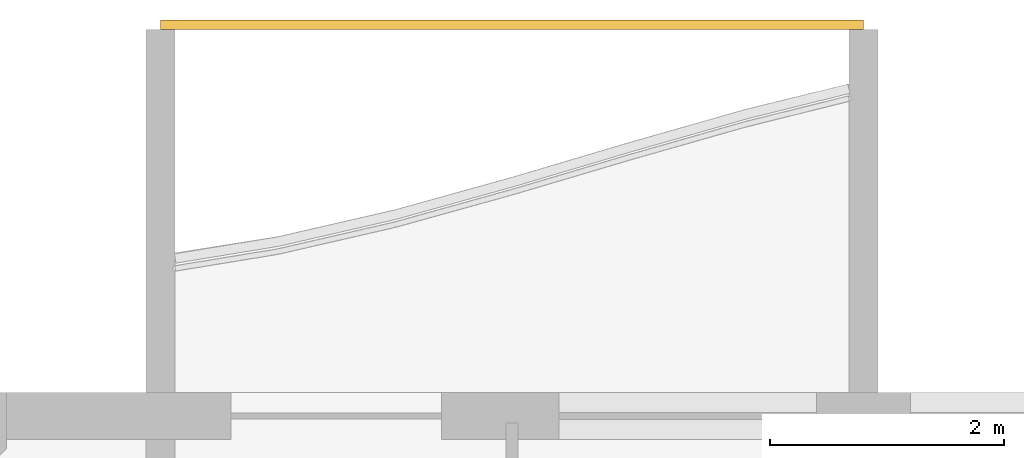
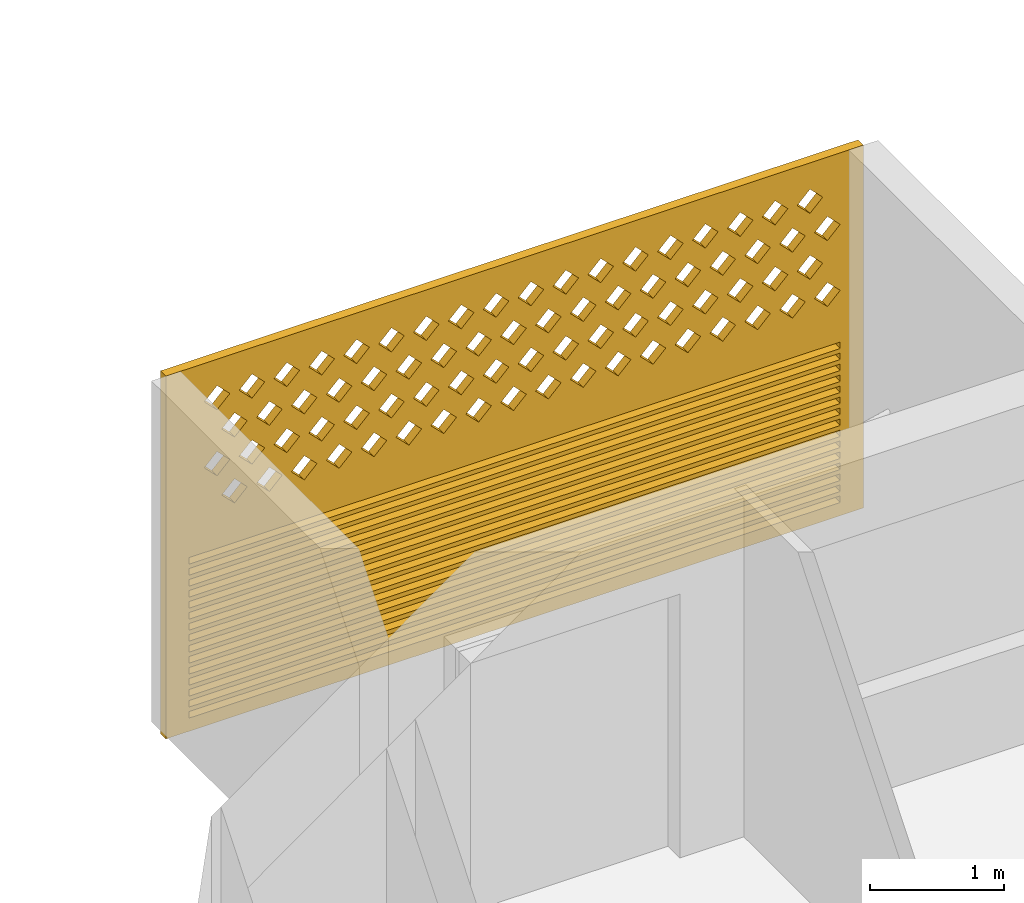
# One storey, part 17 of 29: 1 covering.
"""IFC4 building model written with IfcOpenShell, lengths in metres."""

import ifcopenshell
import ifcopenshell.guid

model = None  # the IFC model being written
_history = None  # IfcOwnerHistory: only IFC2X3 demands one
_inside = {}  # id of a spatial element -> (the spatial element, [elements in it])
_under = {}  # id of a project, library or spatial element -> (it, [spatial elements below it])
_declared = {}  # id of a project -> (the project, [libraries it declares])
_typed = {}  # id of a type object -> (the type object, [elements of that type])
_made_of = {}  # id of a material, layer set ... -> (it, [elements and type objects made of it])


def new_model(schema):
    """Start an empty IFC model of exactly this schema.

    Asked for "IFC4X3", IfcOpenShell would pick the latest addendum, in which some entities
    have other attributes; the version numbers below select the first issue.
    IFC2X3 requires an IfcOwnerHistory on every rooted entity: one is made here for all.
    """
    global model, _history
    if schema == "IFC4X3":
        model = ifcopenshell.file(schema_version=(4, 3, 0, 0))
    else:
        model = ifcopenshell.file(schema=schema)
    _inside.clear()
    _under.clear()
    _declared.clear()
    _typed.clear()
    _made_of.clear()
    _history = None
    if model.schema == "IFC2X3":
        org = make("IfcOrganization", Name="unknown")
        user = make(
            "IfcPersonAndOrganization",
            ThePerson=make("IfcPerson", FamilyName="unknown"),
            TheOrganization=org,
        )
        app = make(
            "IfcApplication",
            ApplicationDeveloper=org,
            Version="unknown",
            ApplicationFullName="unknown",
            ApplicationIdentifier="unknown",
        )
        _history = make(
            "IfcOwnerHistory",
            OwningUser=user,
            OwningApplication=app,
            ChangeAction="ADDED",
            CreationDate=0,
        )
    return model


def make(cls, **values):
    """One entity of the class cls with the attributes given. An attribute that is None is left unset."""
    return model.create_entity(
        cls, **{name: value for name, value in values.items() if value is not None}
    )


def rooted(cls, **values):
    """An entity with a GlobalId (a new one), such as an element, a storey or a relation."""
    return make(cls, GlobalId=ifcopenshell.guid.new(), OwnerHistory=_history, **values)


def si_unit(unit_type, name, prefix=None):
    """IfcSIUnit, for example si_unit("LENGTHUNIT", "METRE", prefix="MILLI")."""
    return make("IfcSIUnit", UnitType=unit_type, Prefix=prefix, Name=name)


def assignment(units):
    """IfcUnitAssignment: the units of a project."""
    return None if units is None else make("IfcUnitAssignment", Units=units)


def point(xyz):
    """IfcCartesianPoint."""
    return None if xyz is None else make("IfcCartesianPoint", Coordinates=xyz)


def direction(xyz):
    """IfcDirection."""
    return None if xyz is None else make("IfcDirection", DirectionRatios=xyz)


def frame(location, z_axis=None, x_axis=None):
    """IfcAxis2Placement3D, a coordinate frame: its origin and axes. An axis left out is left unset."""
    return make(
        "IfcAxis2Placement3D",
        Location=point(location),
        Axis=direction(z_axis),
        RefDirection=direction(x_axis),
    )


def origin():
    """The frame at (0, 0, 0) with its axes left unset."""
    return frame((0.0, 0.0, 0.0))


def place(relative_to, where):
    """IfcLocalPlacement: puts the frame where relative to a parent placement (None: the world)."""
    return make(
        "IfcLocalPlacement", PlacementRelTo=relative_to, RelativePlacement=where
    )


def context(
    kind, dimensions, precision=None, world=None, true_north=None, identifier=None
):
    """IfcGeometricRepresentationContext, for example the 3D "Model" context."""
    return make(
        "IfcGeometricRepresentationContext",
        ContextIdentifier=identifier,
        ContextType=kind,
        CoordinateSpaceDimension=dimensions,
        Precision=precision,
        WorldCoordinateSystem=world,
        TrueNorth=true_north,
    )


def subcontext(parent, identifier, kind, view, scale=None):
    """IfcGeometricRepresentationSubContext, for example "Body" below "Model"."""
    return make(
        "IfcGeometricRepresentationSubContext",
        ContextIdentifier=identifier,
        ContextType=kind,
        ParentContext=parent,
        TargetScale=scale,
        TargetView=view,
    )


def project(units=None, contexts=None):
    """IfcProject with its units and contexts."""
    return rooted(
        "IfcProject",
        Name="project",
        RepresentationContexts=contexts,
        UnitsInContext=assignment(units),
    )


def spatial(cls, under=None, at=None, **own):
    """A site, building, storey or space (cls), placed at a placement, below another one or the project."""
    s = rooted(cls, ObjectPlacement=at, **own)
    if under is not None:
        _under.setdefault(under.id(), (under, []))[1].append(s)
    return s


def polyline(points):
    """IfcPolyline through the points."""
    return make("IfcPolyline", Points=[point(p) for p in points])


def outline(outer, holes=None, kind="AREA"):
    """IfcArbitraryClosedProfileDef: a profile drawn as a closed curve; with holes, ...WithVoids."""
    if holes is None:
        return make("IfcArbitraryClosedProfileDef", ProfileType=kind, OuterCurve=outer)
    return make(
        "IfcArbitraryProfileDefWithVoids",
        ProfileType=kind,
        OuterCurve=outer,
        InnerCurves=holes,
    )


def extrude(swept, where, along, depth):
    """IfcExtrudedAreaSolid: the profile swept, set in the frame where, extruded along a direction by depth."""
    return make(
        "IfcExtrudedAreaSolid",
        SweptArea=swept,
        Position=where,
        ExtrudedDirection=direction(along),
        Depth=depth,
    )


def shape(context_of_items, identifier, shape_type, items):
    """IfcShapeRepresentation: the items that make up one representation, for example the "Body"."""
    return make(
        "IfcShapeRepresentation",
        ContextOfItems=context_of_items,
        RepresentationIdentifier=identifier,
        RepresentationType=shape_type,
        Items=items,
    )


def source(mapping_origin, context_of_items, identifier, shape_type, items):
    """IfcRepresentationMap: a shape defined once, which mapped items show again and again."""
    return make(
        "IfcRepresentationMap",
        MappingOrigin=mapping_origin,
        MappedRepresentation=shape(context_of_items, identifier, shape_type, items),
    )


def transform(
    local_origin,
    x_axis=None,
    y_axis=None,
    z_axis=None,
    scale=None,
    scale2=None,
    scale3=None,
    uniform=True,
):
    """IfcCartesianTransformationOperator3D, or its non-uniform kind. x_axis, y_axis, z_axis: its Axis1, 2, 3."""
    if uniform:
        return make(
            "IfcCartesianTransformationOperator3D",
            Axis1=direction(x_axis),
            Axis2=direction(y_axis),
            LocalOrigin=point(local_origin),
            Scale=scale,
            Axis3=direction(z_axis),
        )
    return make(
        "IfcCartesianTransformationOperator3DnonUniform",
        Axis1=direction(x_axis),
        Axis2=direction(y_axis),
        LocalOrigin=point(local_origin),
        Scale=scale,
        Axis3=direction(z_axis),
        Scale2=scale2,
        Scale3=scale3,
    )


def mapped(mapping_source, mapping_target):
    """IfcMappedItem: shows the shape of a source again, moved by a transform."""
    return make(
        "IfcMappedItem", MappingSource=mapping_source, MappingTarget=mapping_target
    )


def material(Name=None, Category=None):
    """IfcMaterial."""
    return make("IfcMaterial", Name=Name, Category=Category)


def material_profile(
    of_material, cross_section, Name=None, Category=None, Priority=None
):
    """IfcMaterialProfile: a cross section and its material."""
    return make(
        "IfcMaterialProfile",
        Name=Name,
        Material=of_material,
        Profile=cross_section,
        Priority=Priority,
        Category=Category,
    )


def profile_set(profiles, Name=None, composite=None):
    """IfcMaterialProfileSet."""
    return make(
        "IfcMaterialProfileSet",
        Name=Name,
        MaterialProfiles=profiles,
        CompositeProfile=composite,
    )


def made_of(thing, what):
    """Note that an element or type object is made of a material, layer set ...; save() writes the relation."""
    if what is not None:
        _made_of.setdefault(what.id(), (what, []))[1].append(thing)
    return thing


def type_object(cls, material=None, **own):
    """A type object (cls), such as IfcWallType, which elements share."""
    return made_of(rooted(cls, **own), material)


def element(
    cls,
    number,
    at=None,
    inside=None,
    cuts=None,
    type_object=None,
    material=None,
    context=None,
    identifier="Body",
    shape_type=None,
    held_by="IfcProductDefinitionShape",
    body=None,
    shapes=None,
    **own,
):
    """One element of the class cls, such as IfcWall. Its Tag is "e" and its number.

    at: its placement. inside: the storey or other place that contains it. cuts: it is an
    opening in that element (IfcRelVoidsElement). A single representation is given by context,
    identifier, shape_type and body (its items); several are given by shapes. held_by: the class
    of the entity that holds the representations. save() writes the other relations.
    """
    e = rooted(cls, Tag="e%d" % number, ObjectPlacement=at, **own)
    if body is not None:
        shapes = [shape(context, identifier, shape_type, body)]
    if shapes is not None:
        e.Representation = make(held_by, Representations=shapes)
    if inside is not None:
        _inside.setdefault(inside.id(), (inside, []))[1].append(e)
    if cuts is not None:
        rooted(
            "IfcRelVoidsElement", RelatingBuildingElement=cuts, RelatedOpeningElement=e
        )
    if type_object is not None:
        _typed.setdefault(type_object.id(), (type_object, []))[1].append(e)
    return made_of(e, material)


def aggregate(whole, parts):
    """IfcRelAggregates: a whole, such as a stair, and the parts it consists of."""
    return rooted("IfcRelAggregates", RelatingObject=whole, RelatedObjects=parts)


def save(model, path):
    """Write the relations noted so far, then the file.

    IfcRelAggregates (storeys below a building ...), IfcRelContainedInSpatialStructure (elements
    in a storey), IfcRelDefinesByType, IfcRelAssociatesMaterial and IfcRelDeclares: one each for
    every whole, place, type object, material and project.
    """
    for whole, parts in _under.values():
        aggregate(whole, parts)
    for where, things in _inside.values():
        rooted(
            "IfcRelContainedInSpatialStructure",
            RelatedElements=things,
            RelatingStructure=where,
        )
    for kind, things in _typed.values():
        rooted("IfcRelDefinesByType", RelatedObjects=things, RelatingType=kind)
    for what, things in _made_of.values():
        rooted("IfcRelAssociatesMaterial", RelatedObjects=things, RelatingMaterial=what)
    for by, libraries in _declared.values():
        rooted("IfcRelDeclares", RelatingContext=by, RelatedDefinitions=libraries)
    model.write(path)


model = new_model("IFC4")

# Units and contexts
model_context = context("Model", 3, precision=1e-05, world=origin(), true_north=direction((0.0, 1.0)))
body_context = subcontext(model_context, "Body", "Model", "MODEL_VIEW")
ifc_project = project(units=[si_unit("LENGTHUNIT", "METRE"), si_unit("AREAUNIT", "SQUARE_METRE"), si_unit("VOLUMEUNIT", "CUBIC_METRE"), si_unit("PLANEANGLEUNIT", "RADIAN"), si_unit("MASSUNIT", "GRAM", prefix="KILO")], contexts=[model_context])

# Site, building, storey
site_placement = place(None, origin())
site = spatial("IfcSite", under=ifc_project, at=site_placement, CompositionType="ELEMENT")
building_placement = place(site_placement, origin())
building = spatial("IfcBuilding", under=site, at=building_placement, Name="Poui Terraces", CompositionType="ELEMENT")
storey_placement = place(building_placement, frame((0.0, 0.0, 231.300048828125)))
storey = spatial("IfcBuildingStorey", under=building, at=storey_placement, Name="L64", CompositionType="ELEMENT", Elevation=231.300048828125)

# Covering
ifc_material = material(Name="Terracotta screen", Category="masonry")
ifc_material_profile = material_profile(ifc_material, outline(polyline([(-3.0, -1.64990234375), (3.0, -1.64990234375), (3.0, 1.64990234375), (-3.0, 1.64990234375), (-3.0, -1.64990234375)]), holes=[polyline([(-2.800048828125, 0.39990234375), (-2.68994140625, 0.2900390625), (-2.580078125, 0.39990234375), (-2.68994140625, 0.510009765625), (-2.800048828125, 0.39990234375)]), polyline([(-2.5, 0.39990234375), (-2.389892578125, 0.2900390625), (-2.280029296875, 0.39990234375), (-2.389892578125, 0.510009765625), (-2.5, 0.39990234375)]), polyline([(-2.199951171875, 0.39990234375), (-2.090087890625, 0.2900390625), (-1.97998046875, 0.39990234375), (-2.090087890625, 0.510009765625), (-2.199951171875, 0.39990234375)]), polyline([(-1.89990234375, 0.39990234375), (-1.7900390625, 0.2900390625), (-1.679931640625, 0.39990234375), (-1.7900390625, 0.510009765625), (-1.89990234375, 0.39990234375)]), polyline([(-1.60009765625, 0.39990234375), (-1.489990234375, 0.2900390625), (-1.3798828125, 0.39990234375), (-1.489990234375, 0.510009765625), (-1.60009765625, 0.39990234375)]), polyline([(-1.300048828125, 0.39990234375), (-1.18994140625, 0.2900390625), (-1.080078125, 0.39990234375), (-1.18994140625, 0.510009765625), (-1.300048828125, 0.39990234375)]), polyline([(-1.0, 0.39990234375), (-0.889892578125, 0.2900390625), (-0.780029296875, 0.39990234375), (-0.889892578125, 0.510009765625), (-1.0, 0.39990234375)]), polyline([(-0.699951171875, 0.39990234375), (-0.590087890625, 0.2900390625), (-0.47998046875, 0.39990234375), (-0.590087890625, 0.510009765625), (-0.699951171875, 0.39990234375)]), polyline([(-0.39990234375, 0.39990234375), (-0.2900390625, 0.2900390625), (-0.179931640625, 0.39990234375), (-0.2900390625, 0.510009765625), (-0.39990234375, 0.39990234375)]), polyline([(-0.10009765625, 0.39990234375), (0.010009765625, 0.2900390625), (0.1201171875, 0.39990234375), (0.010009765625, 0.510009765625), (-0.10009765625, 0.39990234375)]), polyline([(0.199951171875, 0.39990234375), (0.31005859375, 0.2900390625), (0.419921875, 0.39990234375), (0.31005859375, 0.510009765625), (0.199951171875, 0.39990234375)]), polyline([(0.5, 0.39990234375), (0.610107421875, 0.2900390625), (0.719970703125, 0.39990234375), (0.610107421875, 0.510009765625), (0.5, 0.39990234375)]), polyline([(0.800048828125, 0.39990234375), (0.909912109375, 0.2900390625), (1.02001953125, 0.39990234375), (0.909912109375, 0.510009765625), (0.800048828125, 0.39990234375)]), polyline([(1.10009765625, 0.39990234375), (1.2099609375, 0.2900390625), (1.320068359375, 0.39990234375), (1.2099609375, 0.510009765625), (1.10009765625, 0.39990234375)]), polyline([(1.39990234375, 0.39990234375), (1.510009765625, 0.2900390625), (1.6201171875, 0.39990234375), (1.510009765625, 0.510009765625), (1.39990234375, 0.39990234375)]), polyline([(1.699951171875, 0.39990234375), (1.81005859375, 0.2900390625), (1.919921875, 0.39990234375), (1.81005859375, 0.510009765625), (1.699951171875, 0.39990234375)]), polyline([(2.0, 0.39990234375), (2.110107421875, 0.2900390625), (2.219970703125, 0.39990234375), (2.110107421875, 0.510009765625), (2.0, 0.39990234375)]), polyline([(2.300048828125, 0.39990234375), (2.409912109375, 0.2900390625), (2.52001953125, 0.39990234375), (2.409912109375, 0.510009765625), (2.300048828125, 0.39990234375)]), polyline([(-2.64990234375, 0.699951171875), (-2.5400390625, 0.590087890625), (-2.429931640625, 0.699951171875), (-2.5400390625, 0.81005859375), (-2.64990234375, 0.699951171875)]), polyline([(-2.35009765625, 0.699951171875), (-2.239990234375, 0.590087890625), (-2.1298828125, 0.699951171875), (-2.239990234375, 0.81005859375), (-2.35009765625, 0.699951171875)]), polyline([(-2.050048828125, 0.699951171875), (-1.93994140625, 0.590087890625), (-1.830078125, 0.699951171875), (-1.93994140625, 0.81005859375), (-2.050048828125, 0.699951171875)]), polyline([(-1.75, 0.699951171875), (-1.639892578125, 0.590087890625), (-1.530029296875, 0.699951171875), (-1.639892578125, 0.81005859375), (-1.75, 0.699951171875)]), polyline([(-1.449951171875, 0.699951171875), (-1.340087890625, 0.590087890625), (-1.22998046875, 0.699951171875), (-1.340087890625, 0.81005859375), (-1.449951171875, 0.699951171875)]), polyline([(-1.14990234375, 0.699951171875), (-1.0400390625, 0.590087890625), (-0.929931640625, 0.699951171875), (-1.0400390625, 0.81005859375), (-1.14990234375, 0.699951171875)]), polyline([(-0.85009765625, 0.699951171875), (-0.739990234375, 0.590087890625), (-0.6298828125, 0.699951171875), (-0.739990234375, 0.81005859375), (-0.85009765625, 0.699951171875)]), polyline([(-0.550048828125, 0.699951171875), (-0.43994140625, 0.590087890625), (-0.330078125, 0.699951171875), (-0.43994140625, 0.81005859375), (-0.550048828125, 0.699951171875)]), polyline([(-0.25, 0.699951171875), (-0.139892578125, 0.590087890625), (-0.030029296875, 0.699951171875), (-0.139892578125, 0.81005859375), (-0.25, 0.699951171875)]), polyline([(0.050048828125, 0.699951171875), (0.159912109375, 0.590087890625), (0.27001953125, 0.699951171875), (0.159912109375, 0.81005859375), (0.050048828125, 0.699951171875)]), polyline([(0.35009765625, 0.699951171875), (0.4599609375, 0.590087890625), (0.570068359375, 0.699951171875), (0.4599609375, 0.81005859375), (0.35009765625, 0.699951171875)]), polyline([(0.64990234375, 0.699951171875), (0.760009765625, 0.590087890625), (0.8701171875, 0.699951171875), (0.760009765625, 0.81005859375), (0.64990234375, 0.699951171875)]), polyline([(0.949951171875, 0.699951171875), (1.06005859375, 0.590087890625), (1.169921875, 0.699951171875), (1.06005859375, 0.81005859375), (0.949951171875, 0.699951171875)]), polyline([(1.25, 0.699951171875), (1.360107421875, 0.590087890625), (1.469970703125, 0.699951171875), (1.360107421875, 0.81005859375), (1.25, 0.699951171875)]), polyline([(1.550048828125, 0.699951171875), (1.659912109375, 0.590087890625), (1.77001953125, 0.699951171875), (1.659912109375, 0.81005859375), (1.550048828125, 0.699951171875)]), polyline([(1.85009765625, 0.699951171875), (1.9599609375, 0.590087890625), (2.070068359375, 0.699951171875), (1.9599609375, 0.81005859375), (1.85009765625, 0.699951171875)]), polyline([(2.14990234375, 0.699951171875), (2.260009765625, 0.590087890625), (2.3701171875, 0.699951171875), (2.260009765625, 0.81005859375), (2.14990234375, 0.699951171875)]), polyline([(2.449951171875, 0.699951171875), (2.56005859375, 0.590087890625), (2.669921875, 0.699951171875), (2.56005859375, 0.81005859375), (2.449951171875, 0.699951171875)]), polyline([(-2.800048828125, 1.0), (-2.68994140625, 0.889892578125), (-2.580078125, 1.0), (-2.68994140625, 1.110107421875), (-2.800048828125, 1.0)]), polyline([(-2.5, 1.0), (-2.389892578125, 0.889892578125), (-2.280029296875, 1.0), (-2.389892578125, 1.110107421875), (-2.5, 1.0)]), polyline([(-2.199951171875, 1.0), (-2.090087890625, 0.889892578125), (-1.97998046875, 1.0), (-2.090087890625, 1.110107421875), (-2.199951171875, 1.0)]), polyline([(-1.89990234375, 1.0), (-1.7900390625, 0.889892578125), (-1.679931640625, 1.0), (-1.7900390625, 1.110107421875), (-1.89990234375, 1.0)]), polyline([(-1.60009765625, 1.0), (-1.489990234375, 0.889892578125), (-1.3798828125, 1.0), (-1.489990234375, 1.110107421875), (-1.60009765625, 1.0)]), polyline([(-1.300048828125, 1.0), (-1.18994140625, 0.889892578125), (-1.080078125, 1.0), (-1.18994140625, 1.110107421875), (-1.300048828125, 1.0)]), polyline([(-1.0, 1.0), (-0.889892578125, 0.889892578125), (-0.780029296875, 1.0), (-0.889892578125, 1.110107421875), (-1.0, 1.0)]), polyline([(-0.699951171875, 1.0), (-0.590087890625, 0.889892578125), (-0.47998046875, 1.0), (-0.590087890625, 1.110107421875), (-0.699951171875, 1.0)]), polyline([(-0.39990234375, 1.0), (-0.2900390625, 0.889892578125), (-0.179931640625, 1.0), (-0.2900390625, 1.110107421875), (-0.39990234375, 1.0)]), polyline([(-0.10009765625, 1.0), (0.010009765625, 0.889892578125), (0.1201171875, 1.0), (0.010009765625, 1.110107421875), (-0.10009765625, 1.0)]), polyline([(0.199951171875, 1.0), (0.31005859375, 0.889892578125), (0.419921875, 1.0), (0.31005859375, 1.110107421875), (0.199951171875, 1.0)]), polyline([(0.5, 1.0), (0.610107421875, 0.889892578125), (0.719970703125, 1.0), (0.610107421875, 1.110107421875), (0.5, 1.0)]), polyline([(0.800048828125, 1.0), (0.909912109375, 0.889892578125), (1.02001953125, 1.0), (0.909912109375, 1.110107421875), (0.800048828125, 1.0)]), polyline([(1.10009765625, 1.0), (1.2099609375, 0.889892578125), (1.320068359375, 1.0), (1.2099609375, 1.110107421875), (1.10009765625, 1.0)]), polyline([(1.39990234375, 1.0), (1.510009765625, 0.889892578125), (1.6201171875, 1.0), (1.510009765625, 1.110107421875), (1.39990234375, 1.0)]), polyline([(1.699951171875, 1.0), (1.81005859375, 0.889892578125), (1.919921875, 1.0), (1.81005859375, 1.110107421875), (1.699951171875, 1.0)]), polyline([(2.0, 1.0), (2.110107421875, 0.889892578125), (2.219970703125, 1.0), (2.110107421875, 1.110107421875), (2.0, 1.0)]), polyline([(2.300048828125, 1.0), (2.409912109375, 0.889892578125), (2.52001953125, 1.0), (2.409912109375, 1.110107421875), (2.300048828125, 1.0)]), polyline([(-2.64990234375, 1.300048828125), (-2.5400390625, 1.18994140625), (-2.429931640625, 1.300048828125), (-2.5400390625, 1.409912109375), (-2.64990234375, 1.300048828125)]), polyline([(-2.35009765625, 1.300048828125), (-2.239990234375, 1.18994140625), (-2.1298828125, 1.300048828125), (-2.239990234375, 1.409912109375), (-2.35009765625, 1.300048828125)]), polyline([(-2.050048828125, 1.300048828125), (-1.93994140625, 1.18994140625), (-1.830078125, 1.300048828125), (-1.93994140625, 1.409912109375), (-2.050048828125, 1.300048828125)]), polyline([(-1.75, 1.300048828125), (-1.639892578125, 1.18994140625), (-1.530029296875, 1.300048828125), (-1.639892578125, 1.409912109375), (-1.75, 1.300048828125)]), polyline([(-1.449951171875, 1.300048828125), (-1.340087890625, 1.18994140625), (-1.22998046875, 1.300048828125), (-1.340087890625, 1.409912109375), (-1.449951171875, 1.300048828125)]), polyline([(-1.14990234375, 1.300048828125), (-1.0400390625, 1.18994140625), (-0.929931640625, 1.300048828125), (-1.0400390625, 1.409912109375), (-1.14990234375, 1.300048828125)]), polyline([(-0.85009765625, 1.300048828125), (-0.739990234375, 1.18994140625), (-0.6298828125, 1.300048828125), (-0.739990234375, 1.409912109375), (-0.85009765625, 1.300048828125)]), polyline([(-0.550048828125, 1.300048828125), (-0.43994140625, 1.18994140625), (-0.330078125, 1.300048828125), (-0.43994140625, 1.409912109375), (-0.550048828125, 1.300048828125)]), polyline([(-0.25, 1.300048828125), (-0.139892578125, 1.18994140625), (-0.030029296875, 1.300048828125), (-0.139892578125, 1.409912109375), (-0.25, 1.300048828125)]), polyline([(0.050048828125, 1.300048828125), (0.159912109375, 1.18994140625), (0.27001953125, 1.300048828125), (0.159912109375, 1.409912109375), (0.050048828125, 1.300048828125)]), polyline([(0.35009765625, 1.300048828125), (0.4599609375, 1.18994140625), (0.570068359375, 1.300048828125), (0.4599609375, 1.409912109375), (0.35009765625, 1.300048828125)]), polyline([(0.64990234375, 1.300048828125), (0.760009765625, 1.18994140625), (0.8701171875, 1.300048828125), (0.760009765625, 1.409912109375), (0.64990234375, 1.300048828125)]), polyline([(0.949951171875, 1.300048828125), (1.06005859375, 1.18994140625), (1.169921875, 1.300048828125), (1.06005859375, 1.409912109375), (0.949951171875, 1.300048828125)]), polyline([(1.25, 1.300048828125), (1.360107421875, 1.18994140625), (1.469970703125, 1.300048828125), (1.360107421875, 1.409912109375), (1.25, 1.300048828125)]), polyline([(1.550048828125, 1.300048828125), (1.659912109375, 1.18994140625), (1.77001953125, 1.300048828125), (1.659912109375, 1.409912109375), (1.550048828125, 1.300048828125)]), polyline([(1.85009765625, 1.300048828125), (1.9599609375, 1.18994140625), (2.070068359375, 1.300048828125), (1.9599609375, 1.409912109375), (1.85009765625, 1.300048828125)]), polyline([(2.14990234375, 1.300048828125), (2.260009765625, 1.18994140625), (2.3701171875, 1.300048828125), (2.260009765625, 1.409912109375), (2.14990234375, 1.300048828125)]), polyline([(2.449951171875, 1.300048828125), (2.56005859375, 1.18994140625), (2.669921875, 1.300048828125), (2.56005859375, 1.409912109375), (2.449951171875, 1.300048828125)]), polyline([(-2.800048828125, -1.530029296875), (2.800048828125, -1.530029296875), (2.800048828125, -1.469970703125), (-2.800048828125, -1.469970703125), (-2.800048828125, -1.530029296875)]), polyline([(-2.800048828125, -1.429931640625), (2.800048828125, -1.429931640625), (2.800048828125, -1.3701171875), (-2.800048828125, -1.3701171875), (-2.800048828125, -1.429931640625)]), polyline([(-2.800048828125, -1.330078125), (2.800048828125, -1.330078125), (2.800048828125, -1.27001953125), (-2.800048828125, -1.27001953125), (-2.800048828125, -1.330078125)]), polyline([(-2.800048828125, -1.22998046875), (2.800048828125, -1.22998046875), (2.800048828125, -1.169921875), (-2.800048828125, -1.169921875), (-2.800048828125, -1.22998046875)]), polyline([(-2.800048828125, -1.1298828125), (2.800048828125, -1.1298828125), (2.800048828125, -1.070068359375), (-2.800048828125, -1.070068359375), (-2.800048828125, -1.1298828125)]), polyline([(-2.800048828125, -1.030029296875), (2.800048828125, -1.030029296875), (2.800048828125, -0.969970703125), (-2.800048828125, -0.969970703125), (-2.800048828125, -1.030029296875)]), polyline([(-2.800048828125, -0.929931640625), (2.800048828125, -0.929931640625), (2.800048828125, -0.8701171875), (-2.800048828125, -0.8701171875), (-2.800048828125, -0.929931640625)]), polyline([(-2.800048828125, -0.830078125), (2.800048828125, -0.830078125), (2.800048828125, -0.77001953125), (-2.800048828125, -0.77001953125), (-2.800048828125, -0.830078125)]), polyline([(-2.800048828125, -0.72998046875), (2.800048828125, -0.72998046875), (2.800048828125, -0.669921875), (-2.800048828125, -0.669921875), (-2.800048828125, -0.72998046875)]), polyline([(-2.800048828125, -0.6298828125), (2.800048828125, -0.6298828125), (2.800048828125, -0.570068359375), (-2.800048828125, -0.570068359375), (-2.800048828125, -0.6298828125)]), polyline([(-2.800048828125, -0.530029296875), (2.800048828125, -0.530029296875), (2.800048828125, -0.469970703125), (-2.800048828125, -0.469970703125), (-2.800048828125, -0.530029296875)]), polyline([(-2.800048828125, -0.429931640625), (2.800048828125, -0.429931640625), (2.800048828125, -0.3701171875), (-2.800048828125, -0.3701171875), (-2.800048828125, -0.429931640625)]), polyline([(-2.800048828125, -0.330078125), (2.800048828125, -0.330078125), (2.800048828125, -0.27001953125), (-2.800048828125, -0.27001953125), (-2.800048828125, -0.330078125)]), polyline([(-2.800048828125, -0.22998046875), (2.800048828125, -0.22998046875), (2.800048828125, -0.169921875), (-2.800048828125, -0.169921875), (-2.800048828125, -0.22998046875)]), polyline([(-2.800048828125, -0.1298828125), (2.800048828125, -0.1298828125), (2.800048828125, -0.070068359375), (-2.800048828125, -0.070068359375), (-2.800048828125, -0.1298828125)])]), Name="TERRACOTTA SCREEN AND JALOUSIE LOUVRE 6000X3300")
ifc_profile_set = profile_set([ifc_material_profile], Name="Terracotta screen")
covering_type = type_object("IfcCoveringType", Name="TERRACOTTA SCREEN AND JALOUSIE LOUVRE 6000X3300", PredefinedType="CLADDING", material=ifc_profile_set)
shared_shape = source(origin(), body_context, "Body", "SweptSolid", [
    extrude(outline(polyline([(-3.0, -1.64990234375), (3.0, -1.64990234375), (3.0, 1.64990234375), (-3.0, 1.64990234375), (-3.0, -1.64990234375)]), holes=[polyline([(-2.800048828125, 0.39990234375), (-2.68994140625, 0.2900390625), (-2.580078125, 0.39990234375), (-2.68994140625, 0.510009765625), (-2.800048828125, 0.39990234375)]), polyline([(-2.5, 0.39990234375), (-2.389892578125, 0.2900390625), (-2.280029296875, 0.39990234375), (-2.389892578125, 0.510009765625), (-2.5, 0.39990234375)]), polyline([(-2.199951171875, 0.39990234375), (-2.090087890625, 0.2900390625), (-1.97998046875, 0.39990234375), (-2.090087890625, 0.510009765625), (-2.199951171875, 0.39990234375)]), polyline([(-1.89990234375, 0.39990234375), (-1.7900390625, 0.2900390625), (-1.679931640625, 0.39990234375), (-1.7900390625, 0.510009765625), (-1.89990234375, 0.39990234375)]), polyline([(-1.60009765625, 0.39990234375), (-1.489990234375, 0.2900390625), (-1.3798828125, 0.39990234375), (-1.489990234375, 0.510009765625), (-1.60009765625, 0.39990234375)]), polyline([(-1.300048828125, 0.39990234375), (-1.18994140625, 0.2900390625), (-1.080078125, 0.39990234375), (-1.18994140625, 0.510009765625), (-1.300048828125, 0.39990234375)]), polyline([(-1.0, 0.39990234375), (-0.889892578125, 0.2900390625), (-0.780029296875, 0.39990234375), (-0.889892578125, 0.510009765625), (-1.0, 0.39990234375)]), polyline([(-0.699951171875, 0.39990234375), (-0.590087890625, 0.2900390625), (-0.47998046875, 0.39990234375), (-0.590087890625, 0.510009765625), (-0.699951171875, 0.39990234375)]), polyline([(-0.39990234375, 0.39990234375), (-0.2900390625, 0.2900390625), (-0.179931640625, 0.39990234375), (-0.2900390625, 0.510009765625), (-0.39990234375, 0.39990234375)]), polyline([(-0.10009765625, 0.39990234375), (0.010009765625, 0.2900390625), (0.1201171875, 0.39990234375), (0.010009765625, 0.510009765625), (-0.10009765625, 0.39990234375)]), polyline([(0.199951171875, 0.39990234375), (0.31005859375, 0.2900390625), (0.419921875, 0.39990234375), (0.31005859375, 0.510009765625), (0.199951171875, 0.39990234375)]), polyline([(0.5, 0.39990234375), (0.610107421875, 0.2900390625), (0.719970703125, 0.39990234375), (0.610107421875, 0.510009765625), (0.5, 0.39990234375)]), polyline([(0.800048828125, 0.39990234375), (0.909912109375, 0.2900390625), (1.02001953125, 0.39990234375), (0.909912109375, 0.510009765625), (0.800048828125, 0.39990234375)]), polyline([(1.10009765625, 0.39990234375), (1.2099609375, 0.2900390625), (1.320068359375, 0.39990234375), (1.2099609375, 0.510009765625), (1.10009765625, 0.39990234375)]), polyline([(1.39990234375, 0.39990234375), (1.510009765625, 0.2900390625), (1.6201171875, 0.39990234375), (1.510009765625, 0.510009765625), (1.39990234375, 0.39990234375)]), polyline([(1.699951171875, 0.39990234375), (1.81005859375, 0.2900390625), (1.919921875, 0.39990234375), (1.81005859375, 0.510009765625), (1.699951171875, 0.39990234375)]), polyline([(2.0, 0.39990234375), (2.110107421875, 0.2900390625), (2.219970703125, 0.39990234375), (2.110107421875, 0.510009765625), (2.0, 0.39990234375)]), polyline([(2.300048828125, 0.39990234375), (2.409912109375, 0.2900390625), (2.52001953125, 0.39990234375), (2.409912109375, 0.510009765625), (2.300048828125, 0.39990234375)]), polyline([(-2.64990234375, 0.699951171875), (-2.5400390625, 0.590087890625), (-2.429931640625, 0.699951171875), (-2.5400390625, 0.81005859375), (-2.64990234375, 0.699951171875)]), polyline([(-2.35009765625, 0.699951171875), (-2.239990234375, 0.590087890625), (-2.1298828125, 0.699951171875), (-2.239990234375, 0.81005859375), (-2.35009765625, 0.699951171875)]), polyline([(-2.050048828125, 0.699951171875), (-1.93994140625, 0.590087890625), (-1.830078125, 0.699951171875), (-1.93994140625, 0.81005859375), (-2.050048828125, 0.699951171875)]), polyline([(-1.75, 0.699951171875), (-1.639892578125, 0.590087890625), (-1.530029296875, 0.699951171875), (-1.639892578125, 0.81005859375), (-1.75, 0.699951171875)]), polyline([(-1.449951171875, 0.699951171875), (-1.340087890625, 0.590087890625), (-1.22998046875, 0.699951171875), (-1.340087890625, 0.81005859375), (-1.449951171875, 0.699951171875)]), polyline([(-1.14990234375, 0.699951171875), (-1.0400390625, 0.590087890625), (-0.929931640625, 0.699951171875), (-1.0400390625, 0.81005859375), (-1.14990234375, 0.699951171875)]), polyline([(-0.85009765625, 0.699951171875), (-0.739990234375, 0.590087890625), (-0.6298828125, 0.699951171875), (-0.739990234375, 0.81005859375), (-0.85009765625, 0.699951171875)]), polyline([(-0.550048828125, 0.699951171875), (-0.43994140625, 0.590087890625), (-0.330078125, 0.699951171875), (-0.43994140625, 0.81005859375), (-0.550048828125, 0.699951171875)]), polyline([(-0.25, 0.699951171875), (-0.139892578125, 0.590087890625), (-0.030029296875, 0.699951171875), (-0.139892578125, 0.81005859375), (-0.25, 0.699951171875)]), polyline([(0.050048828125, 0.699951171875), (0.159912109375, 0.590087890625), (0.27001953125, 0.699951171875), (0.159912109375, 0.81005859375), (0.050048828125, 0.699951171875)]), polyline([(0.35009765625, 0.699951171875), (0.4599609375, 0.590087890625), (0.570068359375, 0.699951171875), (0.4599609375, 0.81005859375), (0.35009765625, 0.699951171875)]), polyline([(0.64990234375, 0.699951171875), (0.760009765625, 0.590087890625), (0.8701171875, 0.699951171875), (0.760009765625, 0.81005859375), (0.64990234375, 0.699951171875)]), polyline([(0.949951171875, 0.699951171875), (1.06005859375, 0.590087890625), (1.169921875, 0.699951171875), (1.06005859375, 0.81005859375), (0.949951171875, 0.699951171875)]), polyline([(1.25, 0.699951171875), (1.360107421875, 0.590087890625), (1.469970703125, 0.699951171875), (1.360107421875, 0.81005859375), (1.25, 0.699951171875)]), polyline([(1.550048828125, 0.699951171875), (1.659912109375, 0.590087890625), (1.77001953125, 0.699951171875), (1.659912109375, 0.81005859375), (1.550048828125, 0.699951171875)]), polyline([(1.85009765625, 0.699951171875), (1.9599609375, 0.590087890625), (2.070068359375, 0.699951171875), (1.9599609375, 0.81005859375), (1.85009765625, 0.699951171875)]), polyline([(2.14990234375, 0.699951171875), (2.260009765625, 0.590087890625), (2.3701171875, 0.699951171875), (2.260009765625, 0.81005859375), (2.14990234375, 0.699951171875)]), polyline([(2.449951171875, 0.699951171875), (2.56005859375, 0.590087890625), (2.669921875, 0.699951171875), (2.56005859375, 0.81005859375), (2.449951171875, 0.699951171875)]), polyline([(-2.800048828125, 1.0), (-2.68994140625, 0.889892578125), (-2.580078125, 1.0), (-2.68994140625, 1.110107421875), (-2.800048828125, 1.0)]), polyline([(-2.5, 1.0), (-2.389892578125, 0.889892578125), (-2.280029296875, 1.0), (-2.389892578125, 1.110107421875), (-2.5, 1.0)]), polyline([(-2.199951171875, 1.0), (-2.090087890625, 0.889892578125), (-1.97998046875, 1.0), (-2.090087890625, 1.110107421875), (-2.199951171875, 1.0)]), polyline([(-1.89990234375, 1.0), (-1.7900390625, 0.889892578125), (-1.679931640625, 1.0), (-1.7900390625, 1.110107421875), (-1.89990234375, 1.0)]), polyline([(-1.60009765625, 1.0), (-1.489990234375, 0.889892578125), (-1.3798828125, 1.0), (-1.489990234375, 1.110107421875), (-1.60009765625, 1.0)]), polyline([(-1.300048828125, 1.0), (-1.18994140625, 0.889892578125), (-1.080078125, 1.0), (-1.18994140625, 1.110107421875), (-1.300048828125, 1.0)]), polyline([(-1.0, 1.0), (-0.889892578125, 0.889892578125), (-0.780029296875, 1.0), (-0.889892578125, 1.110107421875), (-1.0, 1.0)]), polyline([(-0.699951171875, 1.0), (-0.590087890625, 0.889892578125), (-0.47998046875, 1.0), (-0.590087890625, 1.110107421875), (-0.699951171875, 1.0)]), polyline([(-0.39990234375, 1.0), (-0.2900390625, 0.889892578125), (-0.179931640625, 1.0), (-0.2900390625, 1.110107421875), (-0.39990234375, 1.0)]), polyline([(-0.10009765625, 1.0), (0.010009765625, 0.889892578125), (0.1201171875, 1.0), (0.010009765625, 1.110107421875), (-0.10009765625, 1.0)]), polyline([(0.199951171875, 1.0), (0.31005859375, 0.889892578125), (0.419921875, 1.0), (0.31005859375, 1.110107421875), (0.199951171875, 1.0)]), polyline([(0.5, 1.0), (0.610107421875, 0.889892578125), (0.719970703125, 1.0), (0.610107421875, 1.110107421875), (0.5, 1.0)]), polyline([(0.800048828125, 1.0), (0.909912109375, 0.889892578125), (1.02001953125, 1.0), (0.909912109375, 1.110107421875), (0.800048828125, 1.0)]), polyline([(1.10009765625, 1.0), (1.2099609375, 0.889892578125), (1.320068359375, 1.0), (1.2099609375, 1.110107421875), (1.10009765625, 1.0)]), polyline([(1.39990234375, 1.0), (1.510009765625, 0.889892578125), (1.6201171875, 1.0), (1.510009765625, 1.110107421875), (1.39990234375, 1.0)]), polyline([(1.699951171875, 1.0), (1.81005859375, 0.889892578125), (1.919921875, 1.0), (1.81005859375, 1.110107421875), (1.699951171875, 1.0)]), polyline([(2.0, 1.0), (2.110107421875, 0.889892578125), (2.219970703125, 1.0), (2.110107421875, 1.110107421875), (2.0, 1.0)]), polyline([(2.300048828125, 1.0), (2.409912109375, 0.889892578125), (2.52001953125, 1.0), (2.409912109375, 1.110107421875), (2.300048828125, 1.0)]), polyline([(-2.64990234375, 1.300048828125), (-2.5400390625, 1.18994140625), (-2.429931640625, 1.300048828125), (-2.5400390625, 1.409912109375), (-2.64990234375, 1.300048828125)]), polyline([(-2.35009765625, 1.300048828125), (-2.239990234375, 1.18994140625), (-2.1298828125, 1.300048828125), (-2.239990234375, 1.409912109375), (-2.35009765625, 1.300048828125)]), polyline([(-2.050048828125, 1.300048828125), (-1.93994140625, 1.18994140625), (-1.830078125, 1.300048828125), (-1.93994140625, 1.409912109375), (-2.050048828125, 1.300048828125)]), polyline([(-1.75, 1.300048828125), (-1.639892578125, 1.18994140625), (-1.530029296875, 1.300048828125), (-1.639892578125, 1.409912109375), (-1.75, 1.300048828125)]), polyline([(-1.449951171875, 1.300048828125), (-1.340087890625, 1.18994140625), (-1.22998046875, 1.300048828125), (-1.340087890625, 1.409912109375), (-1.449951171875, 1.300048828125)]), polyline([(-1.14990234375, 1.300048828125), (-1.0400390625, 1.18994140625), (-0.929931640625, 1.300048828125), (-1.0400390625, 1.409912109375), (-1.14990234375, 1.300048828125)]), polyline([(-0.85009765625, 1.300048828125), (-0.739990234375, 1.18994140625), (-0.6298828125, 1.300048828125), (-0.739990234375, 1.409912109375), (-0.85009765625, 1.300048828125)]), polyline([(-0.550048828125, 1.300048828125), (-0.43994140625, 1.18994140625), (-0.330078125, 1.300048828125), (-0.43994140625, 1.409912109375), (-0.550048828125, 1.300048828125)]), polyline([(-0.25, 1.300048828125), (-0.139892578125, 1.18994140625), (-0.030029296875, 1.300048828125), (-0.139892578125, 1.409912109375), (-0.25, 1.300048828125)]), polyline([(0.050048828125, 1.300048828125), (0.159912109375, 1.18994140625), (0.27001953125, 1.300048828125), (0.159912109375, 1.409912109375), (0.050048828125, 1.300048828125)]), polyline([(0.35009765625, 1.300048828125), (0.4599609375, 1.18994140625), (0.570068359375, 1.300048828125), (0.4599609375, 1.409912109375), (0.35009765625, 1.300048828125)]), polyline([(0.64990234375, 1.300048828125), (0.760009765625, 1.18994140625), (0.8701171875, 1.300048828125), (0.760009765625, 1.409912109375), (0.64990234375, 1.300048828125)]), polyline([(0.949951171875, 1.300048828125), (1.06005859375, 1.18994140625), (1.169921875, 1.300048828125), (1.06005859375, 1.409912109375), (0.949951171875, 1.300048828125)]), polyline([(1.25, 1.300048828125), (1.360107421875, 1.18994140625), (1.469970703125, 1.300048828125), (1.360107421875, 1.409912109375), (1.25, 1.300048828125)]), polyline([(1.550048828125, 1.300048828125), (1.659912109375, 1.18994140625), (1.77001953125, 1.300048828125), (1.659912109375, 1.409912109375), (1.550048828125, 1.300048828125)]), polyline([(1.85009765625, 1.300048828125), (1.9599609375, 1.18994140625), (2.070068359375, 1.300048828125), (1.9599609375, 1.409912109375), (1.85009765625, 1.300048828125)]), polyline([(2.14990234375, 1.300048828125), (2.260009765625, 1.18994140625), (2.3701171875, 1.300048828125), (2.260009765625, 1.409912109375), (2.14990234375, 1.300048828125)]), polyline([(2.449951171875, 1.300048828125), (2.56005859375, 1.18994140625), (2.669921875, 1.300048828125), (2.56005859375, 1.409912109375), (2.449951171875, 1.300048828125)]), polyline([(-2.800048828125, -1.530029296875), (2.800048828125, -1.530029296875), (2.800048828125, -1.469970703125), (-2.800048828125, -1.469970703125), (-2.800048828125, -1.530029296875)]), polyline([(-2.800048828125, -1.429931640625), (2.800048828125, -1.429931640625), (2.800048828125, -1.3701171875), (-2.800048828125, -1.3701171875), (-2.800048828125, -1.429931640625)]), polyline([(-2.800048828125, -1.330078125), (2.800048828125, -1.330078125), (2.800048828125, -1.27001953125), (-2.800048828125, -1.27001953125), (-2.800048828125, -1.330078125)]), polyline([(-2.800048828125, -1.22998046875), (2.800048828125, -1.22998046875), (2.800048828125, -1.169921875), (-2.800048828125, -1.169921875), (-2.800048828125, -1.22998046875)]), polyline([(-2.800048828125, -1.1298828125), (2.800048828125, -1.1298828125), (2.800048828125, -1.070068359375), (-2.800048828125, -1.070068359375), (-2.800048828125, -1.1298828125)]), polyline([(-2.800048828125, -1.030029296875), (2.800048828125, -1.030029296875), (2.800048828125, -0.969970703125), (-2.800048828125, -0.969970703125), (-2.800048828125, -1.030029296875)]), polyline([(-2.800048828125, -0.929931640625), (2.800048828125, -0.929931640625), (2.800048828125, -0.8701171875), (-2.800048828125, -0.8701171875), (-2.800048828125, -0.929931640625)]), polyline([(-2.800048828125, -0.830078125), (2.800048828125, -0.830078125), (2.800048828125, -0.77001953125), (-2.800048828125, -0.77001953125), (-2.800048828125, -0.830078125)]), polyline([(-2.800048828125, -0.72998046875), (2.800048828125, -0.72998046875), (2.800048828125, -0.669921875), (-2.800048828125, -0.669921875), (-2.800048828125, -0.72998046875)]), polyline([(-2.800048828125, -0.6298828125), (2.800048828125, -0.6298828125), (2.800048828125, -0.570068359375), (-2.800048828125, -0.570068359375), (-2.800048828125, -0.6298828125)]), polyline([(-2.800048828125, -0.530029296875), (2.800048828125, -0.530029296875), (2.800048828125, -0.469970703125), (-2.800048828125, -0.469970703125), (-2.800048828125, -0.530029296875)]), polyline([(-2.800048828125, -0.429931640625), (2.800048828125, -0.429931640625), (2.800048828125, -0.3701171875), (-2.800048828125, -0.3701171875), (-2.800048828125, -0.429931640625)]), polyline([(-2.800048828125, -0.330078125), (2.800048828125, -0.330078125), (2.800048828125, -0.27001953125), (-2.800048828125, -0.27001953125), (-2.800048828125, -0.330078125)]), polyline([(-2.800048828125, -0.22998046875), (2.800048828125, -0.22998046875), (2.800048828125, -0.169921875), (-2.800048828125, -0.169921875), (-2.800048828125, -0.22998046875)]), polyline([(-2.800048828125, -0.1298828125), (2.800048828125, -0.1298828125), (2.800048828125, -0.070068359375), (-2.800048828125, -0.070068359375), (-2.800048828125, -0.1298828125)])]), origin(), (0.0, 0.0, 1.0), 0.080078125),
])
covering_placement = place(storey_placement, frame((27.0, 44.5, 1.449951171875), z_axis=(0.0, 1.0, 0.0), x_axis=(-1.0, 0.0, 0.0)))
element("IfcCovering", 1, at=covering_placement, inside=storey, type_object=covering_type, Name="SOLAR SCREEN AND JALOUSIE LOUVRE", PredefinedType="CLADDING", context=body_context, shape_type="MappedRepresentation", body=[
    mapped(shared_shape, transform((0.0, 0.0, 0.0))),
])

save(model, "model.ifc")
